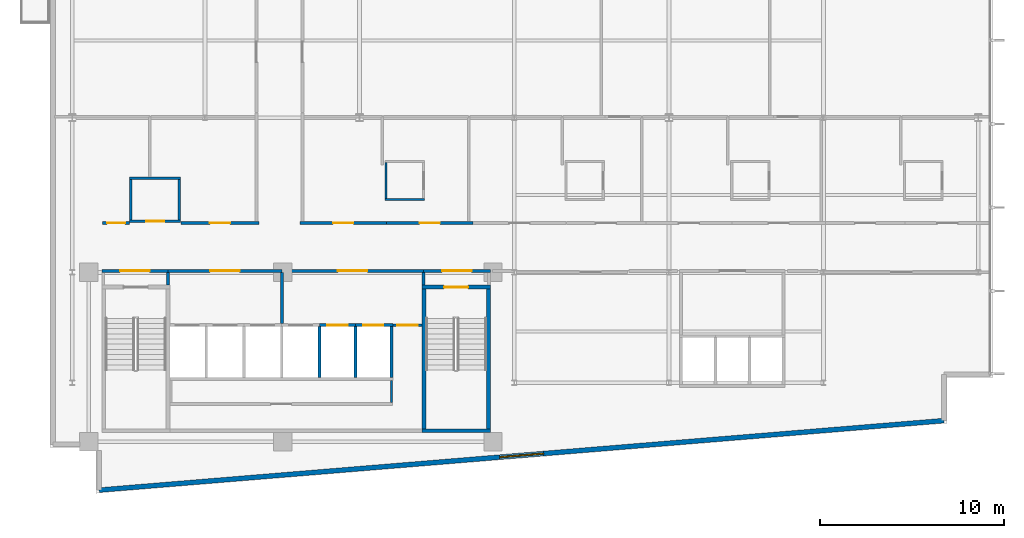
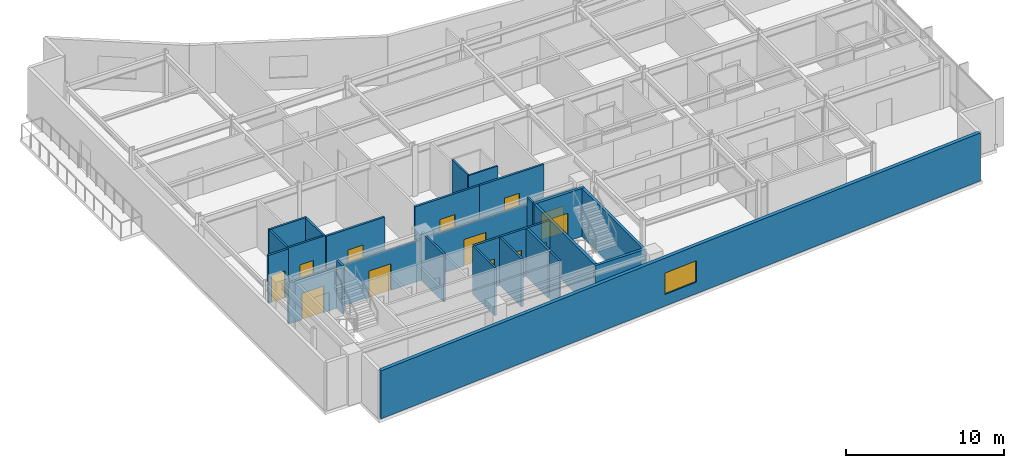
# One storey, part 11 of 17: 29 walls, 13 doors, 1 window, 14 openings.
"""IFC4 building model written with IfcOpenShell, lengths in metres."""

from ifc_helpers import new_model, si_unit, direction, frame, frame_2d, origin, place, context, subcontext, project, spatial, rectangle, extrude, material, layer, layer_set, type_object, element, fill, save


model = new_model("IFC4")

# Units and contexts
model_context = context("Model", 3, precision=1e-05, world=origin(), true_north=direction((0.0, 1.0)))
body_context = subcontext(model_context, "Body", "Model", "MODEL_VIEW")
ifc_project = project(units=[si_unit("LENGTHUNIT", "METRE"), si_unit("AREAUNIT", "SQUARE_METRE"), si_unit("VOLUMEUNIT", "CUBIC_METRE"), si_unit("PLANEANGLEUNIT", "RADIAN"), si_unit("MASSUNIT", "GRAM", prefix="KILO")], contexts=[model_context])

# Site, building, storey
site_placement = place(None, origin())
site = spatial("IfcSite", under=ifc_project, at=site_placement, CompositionType="ELEMENT")
building_placement = place(site_placement, origin())
building = spatial("IfcBuilding", under=site, at=building_placement, Name="Varnakote Quay Hospital", CompositionType="ELEMENT")
storey_placement = place(building_placement, frame((0.0, 0.0, 184.199951171875)))
storey = spatial("IfcBuildingStorey", under=building, at=storey_placement, Name="L45", CompositionType="ELEMENT", Elevation=184.199951171875)

# Wall, opening, door
ifc_material_1 = material(Name="Fire-rated acoustic gypsum stud wall", Category="gypsum")
ifc_layer_1 = layer(ifc_material_1, 0.159912109375)
ifc_layer_set_1 = layer_set([ifc_layer_1], Name="Fire-rated acoustic gypsum stud wall")
wall_type_1 = type_object("IfcWallType", Name="WL-COMP-160", PredefinedType="PARTITIONING", material=ifc_layer_set_1)
wall_1_placement = place(storey_placement, frame((2.800048828125, 12.080078125, 0.0), z_axis=(0.0, 0.0, 1.0), x_axis=(1.0, 0.0, 0.0)))
wall_1 = element("IfcWall", 1, at=wall_1_placement, inside=storey, type_object=wall_type_1, Name="L45 West Stair Vestibule Smoke Wall", PredefinedType="PARTITIONING", context=body_context, shape_type="SweptSolid", body=[
    extrude(rectangle(XDim=3.599853515625, YDim=0.159912109375, at=frame_2d((1.7998046875, 0.0))), origin(), (0.0, 0.0, 1.0), 3.152099609375),
])
opening_1_placement = place(wall_1_placement, frame((1.0, 0.0, 0.0)))
opening_1 = element("IfcOpeningElement", 2, at=opening_1_placement, cuts=wall_1, Name="Opening D-ST1L-L45", PredefinedType="OPENING", context=body_context, shape_type="SweptSolid", body=[
    extrude(rectangle(XDim=1.60009765625, YDim=2.050048828125, at=frame_2d((0.800048828125, 1.02490234375))), frame((0.0, 0.08984375, 0.0), z_axis=(0.0, -1.0, 0.0), x_axis=(1.0, 0.0, 0.0)), (0.0, 0.0, 1.0), 0.179931640625),
])
ifc_material_2 = material(Name="Fire-rated double smoke lobby door")
door_type_1 = type_object("IfcDoorType", Name="DR-LOBBY-FD60S-1600x2150", OperationType="NOTDEFINED", PredefinedType="DOOR", material=ifc_material_2)
door_1_placement = place(opening_1_placement, origin())
door_1 = element("IfcDoor", 3, at=door_1_placement, inside=storey, type_object=door_type_1, Name="L45 West Stair Vestibule Smoke Door", OperationType="DOUBLE_DOOR_SINGLE_SWING", OverallHeight=2.050048828125, OverallWidth=1.60009765625, PredefinedType="DOOR", context=body_context, shape_type="SweptSolid", body=[
    extrude(rectangle(XDim=1.60009765625, YDim=2.050048828125, at=frame_2d((0.800048828125, 1.02490234375))), frame((0.0, 0.02490234375, 0.0), z_axis=(0.0, -1.0, 0.0), x_axis=(1.0, 0.0, 0.0)), (0.0, 0.0, 1.0), 0.050048828125),
])
fill(opening_1, door_1)

# Wall
wall_2_placement = place(storey_placement, frame((6.39990234375, 11.300048828125, 0.0), z_axis=(0.0, 0.0, 1.0), x_axis=(0.0, 1.0, 0.0)))
element("IfcWall", 4, at=wall_2_placement, inside=storey, type_object=wall_type_1, Name="L45 Firefighting Lobby West Wall", PredefinedType="PARTITIONING", context=body_context, shape_type="SweptSolid", body=[
    extrude(rectangle(XDim=0.699951171875, YDim=0.159912109375, at=frame_2d((0.35009765625, 0.0))), origin(), (0.0, 0.0, 1.0), 3.7099609375),
])

# Wall, opening, door
wall_3_placement = place(storey_placement, frame((6.39990234375, 12.080078125, 0.0), z_axis=(0.0, 0.0, 1.0), x_axis=(1.0, 0.0, 0.0)))
wall_3 = element("IfcWall", 5, at=wall_3_placement, inside=storey, type_object=wall_type_1, Name="L45 Firefighting Lift Lobby Compartment Wall", PredefinedType="PARTITIONING", context=body_context, shape_type="SweptSolid", body=[
    extrude(rectangle(XDim=6.18017578125, YDim=0.159912109375, at=frame_2d((3.090087890625, 0.0))), origin(), (0.0, 0.0, 1.0), 3.152099609375),
])
opening_2_placement = place(wall_3_placement, frame((2.2900390625, 0.0, 0.0)))
opening_2 = element("IfcOpeningElement", 6, at=opening_2_placement, cuts=wall_3, Name="Opening D-FFL-L45", PredefinedType="OPENING", context=body_context, shape_type="SweptSolid", body=[
    extrude(rectangle(XDim=1.60009765625, YDim=2.050048828125, at=frame_2d((0.800048828125, 1.02490234375))), frame((0.0, 0.08984375, 0.0), z_axis=(0.0, -1.0, 0.0), x_axis=(1.0, 0.0, 0.0)), (0.0, 0.0, 1.0), 0.179931640625),
])
door_2_placement = place(opening_2_placement, origin())
door_2 = element("IfcDoor", 7, at=door_2_placement, inside=storey, type_object=door_type_1, Name="L45 Firefighting Smoke Vestibule Door", OperationType="DOUBLE_DOOR_SINGLE_SWING", OverallHeight=2.050048828125, OverallWidth=1.60009765625, PredefinedType="DOOR", context=body_context, shape_type="SweptSolid", body=[
    extrude(rectangle(XDim=1.60009765625, YDim=2.050048828125, at=frame_2d((0.800048828125, 1.02490234375))), frame((0.0, 0.02490234375, 0.0), z_axis=(0.0, -1.0, 0.0), x_axis=(1.0, 0.0, 0.0)), (0.0, 0.0, 1.0), 0.050048828125),
])
fill(opening_2, door_2)

# Wall
wall_4_placement = place(storey_placement, frame((12.580078125, 9.2099609375, 0.0), z_axis=(0.0, 0.0, 1.0), x_axis=(0.0, 1.0, 0.0)))
element("IfcWall", 8, at=wall_4_placement, inside=storey, type_object=wall_type_1, Name="L45 Firefighting to Service Lobby Wall", PredefinedType="PARTITIONING", context=body_context, shape_type="SweptSolid", body=[
    extrude(rectangle(XDim=2.7900390625, YDim=0.159912109375, at=frame_2d((1.39501953125, 0.0))), origin(), (0.0, 0.0, 1.0), 3.7099609375),
])

# Wall, opening, door
wall_5_placement = place(storey_placement, frame((12.580078125, 12.080078125, 0.0), z_axis=(0.0, 0.0, 1.0), x_axis=(1.0, 0.0, 0.0)))
wall_5 = element("IfcWall", 9, at=wall_5_placement, inside=storey, type_object=wall_type_1, Name="L45 Clinical Bed Lift Lobby Wall", PredefinedType="PARTITIONING", context=body_context, shape_type="SweptSolid", body=[
    extrude(rectangle(XDim=7.699951171875, YDim=0.159912109375, at=frame_2d((3.85009765625, 0.0))), origin(), (0.0, 0.0, 1.0), 3.152099609375),
])
opening_3_placement = place(wall_5_placement, frame((3.050048828125, 0.0, 0.0)))
opening_3 = element("IfcOpeningElement", 10, at=opening_3_placement, cuts=wall_5, Name="Opening D-SVL-L45", PredefinedType="OPENING", context=body_context, shape_type="SweptSolid", body=[
    extrude(rectangle(XDim=1.60009765625, YDim=2.050048828125, at=frame_2d((0.800048828125, 1.02490234375))), frame((0.0, 0.08984375, 0.0), z_axis=(0.0, -1.0, 0.0), x_axis=(1.0, 0.0, 0.0)), (0.0, 0.0, 1.0), 0.179931640625),
])
door_3_placement = place(opening_3_placement, origin())
door_3 = element("IfcDoor", 11, at=door_3_placement, inside=storey, type_object=door_type_1, Name="L45 Clinical Core Smoke Vestibule Door", OperationType="DOUBLE_DOOR_SINGLE_SWING", OverallHeight=2.050048828125, OverallWidth=1.60009765625, PredefinedType="DOOR", context=body_context, shape_type="SweptSolid", body=[
    extrude(rectangle(XDim=1.60009765625, YDim=2.050048828125, at=frame_2d((0.800048828125, 1.02490234375))), frame((0.0, 0.02490234375, 0.0), z_axis=(0.0, -1.0, 0.0), x_axis=(1.0, 0.0, 0.0)), (0.0, 0.0, 1.0), 0.050048828125),
])
fill(opening_3, door_3)

# Wall
wall_6_placement = place(storey_placement, frame((20.280029296875, 11.300048828125, 0.0), z_axis=(0.0, 0.0, 1.0), x_axis=(0.0, 1.0, 0.0)))
element("IfcWall", 12, at=wall_6_placement, inside=storey, type_object=wall_type_1, Name="L45 East Stair Vestibule Divider Wall", PredefinedType="PARTITIONING", context=body_context, shape_type="SweptSolid", body=[
    extrude(rectangle(XDim=0.699951171875, YDim=0.159912109375, at=frame_2d((0.35009765625, 0.0))), origin(), (0.0, 0.0, 1.0), 3.7099609375),
])

# Wall, opening, door
wall_7_placement = place(storey_placement, frame((20.280029296875, 12.080078125, 0.0), z_axis=(0.0, 0.0, 1.0), x_axis=(1.0, 0.0, 0.0)))
wall_7 = element("IfcWall", 13, at=wall_7_placement, inside=storey, type_object=wall_type_1, Name="L45 East Stair Vestibule Smoke Wall", PredefinedType="PARTITIONING", context=body_context, shape_type="SweptSolid", body=[
    extrude(rectangle(XDim=3.619873046875, YDim=0.159912109375, at=frame_2d((1.81005859375, 0.0))), origin(), (0.0, 0.0, 1.0), 3.152099609375),
])
opening_4_placement = place(wall_7_placement, frame((1.010009765625, 0.0, 0.0)))
opening_4 = element("IfcOpeningElement", 14, at=opening_4_placement, cuts=wall_7, Name="Opening D-ST2L-L45", PredefinedType="OPENING", context=body_context, shape_type="SweptSolid", body=[
    extrude(rectangle(XDim=1.60009765625, YDim=2.050048828125, at=frame_2d((0.800048828125, 1.02490234375))), frame((0.0, 0.08984375, 0.0), z_axis=(0.0, -1.0, 0.0), x_axis=(1.0, 0.0, 0.0)), (0.0, 0.0, 1.0), 0.179931640625),
])
door_4_placement = place(opening_4_placement, origin())
door_4 = element("IfcDoor", 15, at=door_4_placement, inside=storey, type_object=door_type_1, Name="L45 East Stair Vestibule Smoke Door", OperationType="DOUBLE_DOOR_SINGLE_SWING", OverallHeight=2.050048828125, OverallWidth=1.60009765625, PredefinedType="DOOR", context=body_context, shape_type="SweptSolid", body=[
    extrude(rectangle(XDim=1.60009765625, YDim=2.050048828125, at=frame_2d((0.800048828125, 1.02490234375))), frame((0.0, 0.02490234375, 0.0), z_axis=(0.0, -1.0, 0.0), x_axis=(1.0, 0.0, 0.0)), (0.0, 0.0, 1.0), 0.050048828125),
])
fill(opening_4, door_4)

# Walls
ifc_material_3 = material(Name="Moisture-resistant bathroom partition", Category="gypsum")
ifc_layer_2 = layer(ifc_material_3, 0.114990234375)
ifc_layer_set_2 = layer_set([ifc_layer_2], Name="Moisture-resistant bathroom partition")
wall_type_2 = type_object("IfcWallType", Name="WL-ENS-115", PredefinedType="PARTITIONING", material=ifc_layer_set_2)
wall_8_placement = place(storey_placement, frame((18.18505859375, 15.952392578125, 0.0), z_axis=(0.0, 0.0, 1.0), x_axis=(1.0, 0.0, 0.0)))
element("IfcWall", 16, at=wall_8_placement, inside=storey, type_object=wall_type_2, Name="L45 Inpatient En-Suite Bathroom 01 S Wall", PredefinedType="PARTITIONING", context=body_context, shape_type="SweptSolid", body=[
    extrude(rectangle(XDim=2.14990234375, YDim=0.114990234375, at=frame_2d((1.074951171875, 0.0))), origin(), (0.0, 0.0, 1.0), 3.7099609375),
])
wall_9_placement = place(storey_placement, frame((18.242431640625, 16.010009765625, 0.0), z_axis=(0.0, 0.0, 1.0), x_axis=(0.0, 1.0, 0.0)))
element("IfcWall", 17, at=wall_9_placement, inside=storey, type_object=wall_type_2, Name="L45 Inpatient En-Suite Bathroom 01 W Wall", PredefinedType="PARTITIONING", context=body_context, shape_type="SweptSolid", body=[
    extrude(rectangle(XDim=1.949951171875, YDim=0.114990234375, at=frame_2d((0.97509765625, 0.0))), origin(), (0.0, 0.0, 1.0), 3.7099609375),
])

# Wall, opening, window
ifc_material_4 = material(Name="Precast concrete N50 (f'c 50 MPa)", Category="concrete")
ifc_layer_3 = layer(ifc_material_4, 0.260009765625)
ifc_layer_set_3 = layer_set([ifc_layer_3], Name="Precast concrete N50 (f'c 50 MPa)")
wall_type_3 = type_object("IfcWallType", Name="WL-EXT-BRICK-260", PredefinedType="STANDARD", material=ifc_layer_set_3)
wall_10_placement = place(storey_placement, frame((2.659912109375, 0.173583984375, 0.0), z_axis=(0.0, 0.0, 1.0), x_axis=(0.996634028439, 0.081979347142, 0.0)))
wall_10 = element("IfcWall", 18, at=wall_10_placement, inside=storey, type_object=wall_type_3, Name="L45 Brick-Faced Precast Exterior Wall", PredefinedType="STANDARD", context=body_context, shape_type="SweptSolid", body=[
    extrude(rectangle(XDim=46.03515625, YDim=0.260009765625, at=frame_2d((23.017578125, 0.0))), origin(), (0.0, 0.0, 1.0), 3.7099609375),
])
opening_5_placement = place(wall_10_placement, frame((21.8173828125, 0.0, 0.89990234375)))
opening_5 = element("IfcOpeningElement", 19, at=opening_5_placement, cuts=wall_10, Name="Opening WN-0186", PredefinedType="OPENING", context=body_context, shape_type="SweptSolid", body=[
    extrude(rectangle(XDim=2.39990234375, YDim=1.64990234375, at=frame_2d((1.199951171875, 0.824951171875))), frame((0.0, 0.139892578125, 0.0), z_axis=(0.0, -1.0, 0.0), x_axis=(1.0, 0.0, 0.0)), (0.0, 0.0, 1.0), 0.280029296875),
])
ifc_material_5 = material(Name="Double-glazed low-E solar glass", Category="glass")
window_type = type_object("IfcWindowType", Name="WIN-CLIN-2400x1650", PartitioningType="SINGLE_PANEL", PredefinedType="WINDOW", material=ifc_material_5)
window_placement = place(opening_5_placement, origin())
window = element("IfcWindow", 20, at=window_placement, inside=storey, type_object=window_type, Name="L45 Solar-Control Clinical Window", OverallHeight=1.64990234375, OverallWidth=2.39990234375, PartitioningType="SINGLE_PANEL", PredefinedType="WINDOW", context=body_context, shape_type="SweptSolid", body=[
    extrude(rectangle(XDim=2.39990234375, YDim=1.64990234375, at=frame_2d((1.199951171875, 0.824951171875))), frame((0.0, 0.030029296875, 0.0), z_axis=(0.0, -1.0, 0.0), x_axis=(1.0, 0.0, 0.0)), (0.0, 0.0, 1.0), 0.06005859375),
])
fill(opening_5, window)

# Walls
ifc_material_6 = material(Name="Concrete N50 (f'c 50 MPa)", Category="concrete")
ifc_layer_4 = layer(ifc_material_6, 0.14990234375)
ifc_layer_set_4 = layer_set([ifc_layer_4], Name="Concrete N50 (f'c 50 MPa)")
wall_type_4 = type_object("IfcWallType", Name="WL-SHAFT-N50-150", PredefinedType="SHEAR", material=ifc_layer_set_4)
for number, where, z_axis, x_axis, name in (
    (21, (14.625, 6.300048828125, 0.0), (0.0, 0.0, 1.0), (0.0, 1.0, 0.0), "L45 LF-SV2 Hoistway Divider Wall"),
    (22, (16.574951171875, 6.300048828125, 0.0), (0.0, 0.0, 1.0), (0.0, 1.0, 0.0), "L45 LF-PH1 Hoistway Divider Wall"),
):
    element("IfcWall", number, at=place(storey_placement, frame(where, z_axis=z_axis, x_axis=x_axis)), inside=storey, type_object=wall_type_4, Name=name, PredefinedType="SHEAR", context=body_context, shape_type="SweptSolid", body=[
        extrude(rectangle(XDim=2.75, YDim=0.14990234375, at=frame_2d((1.375, 0.0))), origin(), (0.0, 0.0, 1.0), 3.7099609375),
    ])
ifc_material_7 = material(Name="Concrete N50 (f'c 50 MPa)", Category="concrete")
ifc_layer_5 = layer(ifc_material_7, 0.159912109375)
ifc_layer_set_5 = layer_set([ifc_layer_5], Name="Concrete N50 (f'c 50 MPa)")
wall_type_5 = type_object("IfcWallType", Name="WL-SHAFT-N50-160", PredefinedType="SHEAR", material=ifc_layer_set_5)
wall_11_placement = place(storey_placement, frame((18.530029296875, 6.300048828125, 0.0), z_axis=(0.0, 0.0, 1.0), x_axis=(0.0, 1.0, 0.0)))
element("IfcWall", 23, at=wall_11_placement, inside=storey, type_object=wall_type_5, Name="L45 REAR Lift Bank East Shear Wall", PredefinedType="SHEAR", context=body_context, shape_type="SweptSolid", body=[
    extrude(rectangle(XDim=2.75, YDim=0.159912109375, at=frame_2d((1.375, 0.0))), origin(), (0.0, 0.0, 1.0), 3.7099609375),
])

# Wall, opening, door
wall_12_placement = place(storey_placement, frame((14.625, 9.1298828125, 0.0), z_axis=(0.0, 0.0, 1.0), x_axis=(1.0, 0.0, 0.0)))
wall_12 = element("IfcWall", 24, at=wall_12_placement, inside=storey, type_object=wall_type_5, Name="L45 LF-PH1 Hoistway Front Wall", PredefinedType="SHEAR", context=body_context, shape_type="SweptSolid", body=[
    extrude(rectangle(XDim=1.949951171875, YDim=0.159912109375, at=frame_2d((0.97509765625, 0.0))), origin(), (0.0, 0.0, 1.0), 3.7099609375),
])
opening_6_placement = place(wall_12_placement, frame((0.425048828125, 0.0, 0.0)))
opening_6 = element("IfcOpeningElement", 25, at=opening_6_placement, cuts=wall_12, Name="Opening LD-PH1-L45", PredefinedType="OPENING", context=body_context, shape_type="SweptSolid", body=[
    extrude(rectangle(XDim=1.10009765625, YDim=2.14990234375, at=frame_2d((0.550048828125, 1.074951171875))), frame((0.0, 0.08984375, 0.0), z_axis=(0.0, -1.0, 0.0), x_axis=(1.0, 0.0, 0.0)), (0.0, 0.0, 1.0), 0.179931640625),
])
ifc_material_8 = material(Name="Brushed bronze lift landing sliding door")
door_type_2 = type_object("IfcDoorType", Name="DR-LIFT-LD-1100x2150", OperationType="NOTDEFINED", PredefinedType="DOOR", material=ifc_material_8)
door_5_placement = place(opening_6_placement, origin())
door_5 = element("IfcDoor", 26, at=door_5_placement, inside=storey, type_object=door_type_2, Name="L45 LF-PH1 Lift Landing Sliding Door", OperationType="SLIDING_TO_LEFT", OverallHeight=2.14990234375, OverallWidth=1.10009765625, PredefinedType="DOOR", context=body_context, shape_type="SweptSolid", body=[
    extrude(rectangle(XDim=1.10009765625, YDim=2.14990234375, at=frame_2d((0.550048828125, 1.074951171875))), frame((0.0, 0.02490234375, 0.0), z_axis=(0.0, -1.0, 0.0), x_axis=(1.0, 0.0, 0.0)), (0.0, 0.0, 1.0), 0.050048828125),
])
fill(opening_6, door_5)

wall_13_placement = place(storey_placement, frame((16.574951171875, 9.1298828125, 0.0), z_axis=(0.0, 0.0, 1.0), x_axis=(1.0, 0.0, 0.0)))
wall_13 = element("IfcWall", 27, at=wall_13_placement, inside=storey, type_object=wall_type_5, Name="L45 LF-PH2 Hoistway Front Wall", PredefinedType="SHEAR", context=body_context, shape_type="SweptSolid", body=[
    extrude(rectangle(XDim=2.03515625, YDim=0.159912109375, at=frame_2d((1.017578125, 0.0))), origin(), (0.0, 0.0, 1.0), 3.7099609375),
])
opening_7_placement = place(wall_13_placement, frame((0.425048828125, 0.0, 0.0)))
opening_7 = element("IfcOpeningElement", 28, at=opening_7_placement, cuts=wall_13, Name="Opening LD-PH2-L45", PredefinedType="OPENING", context=body_context, shape_type="SweptSolid", body=[
    extrude(rectangle(XDim=1.10009765625, YDim=2.14990234375, at=frame_2d((0.550048828125, 1.074951171875))), frame((0.0, 0.08984375, 0.0), z_axis=(0.0, -1.0, 0.0), x_axis=(1.0, 0.0, 0.0)), (0.0, 0.0, 1.0), 0.179931640625),
])
door_6_placement = place(opening_7_placement, origin())
door_6 = element("IfcDoor", 29, at=door_6_placement, inside=storey, type_object=door_type_2, Name="L45 LF-PH2 Lift Landing Sliding Door", OperationType="SLIDING_TO_LEFT", OverallHeight=2.14990234375, OverallWidth=1.10009765625, PredefinedType="DOOR", context=body_context, shape_type="SweptSolid", body=[
    extrude(rectangle(XDim=1.10009765625, YDim=2.14990234375, at=frame_2d((0.550048828125, 1.074951171875))), frame((0.0, 0.02490234375, 0.0), z_axis=(0.0, -1.0, 0.0), x_axis=(1.0, 0.0, 0.0)), (0.0, 0.0, 1.0), 0.050048828125),
])
fill(opening_7, door_6)

# Walls
ifc_material_9 = material(Name="Concrete N50 (f'c 50 MPa)", Category="concrete")
ifc_layer_6 = layer(ifc_material_9, 0.199951171875)
ifc_layer_set_6 = layer_set([ifc_layer_6], Name="Concrete N50 (f'c 50 MPa)")
wall_type_6 = type_object("IfcWallType", Name="WL-SHAFT-N50-200", PredefinedType="SHEAR", material=ifc_layer_set_6)
wall_14_placement = place(storey_placement, frame((20.199951171875, 3.39990234375, 0.0), z_axis=(0.0, 0.0, 1.0), x_axis=(1.0, 0.0, 0.0)))
element("IfcWall", 30, at=wall_14_placement, inside=storey, type_object=wall_type_6, Name="L45 Stair ST2 South Shaft Wall", PredefinedType="SHEAR", context=body_context, shape_type="SweptSolid", body=[
    extrude(rectangle(XDim=3.699951171875, YDim=0.199951171875, at=frame_2d((1.85009765625, 0.0))), origin(), (0.0, 0.0, 1.0), 3.7099609375),
])
for number, where, z_axis, x_axis, name in (
    (31, (20.300048828125, 3.5, 0.0), (0.0, 0.0, 1.0), (0.0, 1.0, 0.0), "L45 Stair ST2 West Shaft Wall"),
    (32, (23.800048828125, 3.5, 0.0), (0.0, 0.0, 1.0), (0.0, 1.0, 0.0), "L45 Stair ST2 East Shaft Wall"),
):
    element("IfcWall", number, at=place(storey_placement, frame(where, z_axis=z_axis, x_axis=x_axis)), inside=storey, type_object=wall_type_6, Name=name, PredefinedType="SHEAR", context=body_context, shape_type="SweptSolid", body=[
        extrude(rectangle(XDim=7.60009765625, YDim=0.199951171875, at=frame_2d((3.800048828125, 0.0))), origin(), (0.0, 0.0, 1.0), 3.7099609375),
    ])

# Wall, opening, door
wall_15_placement = place(storey_placement, frame((20.199951171875, 11.199951171875, 0.0), z_axis=(0.0, 0.0, 1.0), x_axis=(1.0, 0.0, 0.0)))
wall_15 = element("IfcWall", 33, at=wall_15_placement, inside=storey, type_object=wall_type_6, Name="L45 Stair ST2 Exit Wall", PredefinedType="SHEAR", context=body_context, shape_type="SweptSolid", body=[
    extrude(rectangle(XDim=3.699951171875, YDim=0.199951171875, at=frame_2d((1.85009765625, 0.0))), origin(), (0.0, 0.0, 1.0), 3.7099609375),
])
opening_8_placement = place(wall_15_placement, frame((1.199951171875, 0.0, 0.0)))
opening_8 = element("IfcOpeningElement", 34, at=opening_8_placement, cuts=wall_15, Name="Opening D-ST2-L45", PredefinedType="OPENING", context=body_context, shape_type="SweptSolid", body=[
    extrude(rectangle(XDim=1.300048828125, YDim=2.14990234375, at=frame_2d((0.64990234375, 1.074951171875))), frame((0.0, 0.10986328125, 0.0), z_axis=(0.0, -1.0, 0.0), x_axis=(1.0, 0.0, 0.0)), (0.0, 0.0, 1.0), 0.219970703125),
])
ifc_material_10 = material(Name="Fire-rated ceramic-glazed timber exit door", Category="wood")
door_type_3 = type_object("IfcDoorType", Name="DR-STAIR-FD60S-1300x2150", OperationType="NOTDEFINED", PredefinedType="DOOR", material=ifc_material_10)
door_7_placement = place(opening_8_placement, origin())
door_7 = element("IfcDoor", 35, at=door_7_placement, inside=storey, type_object=door_type_3, Name="L45 Stair ST2 Fire Exit Door", OperationType="SINGLE_SWING_RIGHT", OverallHeight=2.14990234375, OverallWidth=1.300048828125, PredefinedType="DOOR", context=body_context, shape_type="SweptSolid", body=[
    extrude(rectangle(XDim=1.300048828125, YDim=2.14990234375, at=frame_2d((0.64990234375, 1.074951171875))), frame((0.0, 0.02490234375, 0.0), z_axis=(0.0, -1.0, 0.0), x_axis=(1.0, 0.0, 0.0)), (0.0, 0.0, 1.0), 0.050048828125),
])
fill(opening_8, door_7)

# Wall
ifc_material_11 = material(Name="Smoke-proof clinical partition", Category="gypsum")
ifc_layer_7 = layer(ifc_material_11, 0.1201171875)
ifc_layer_set_7 = layer_set([ifc_layer_7], Name="Smoke-proof clinical partition")
wall_type_7 = type_object("IfcWallType", Name="WL-SMOKE-120", PredefinedType="PARTITIONING", material=ifc_layer_set_7)
wall_16_placement = place(storey_placement, frame((18.5400390625, 4.919921875, 0.0), z_axis=(0.0, 0.0, 1.0), x_axis=(0.0, 1.0, 0.0)))
element("IfcWall", 36, at=wall_16_placement, inside=storey, type_object=wall_type_7, Name="L45 Core Service Strip East Wall", PredefinedType="PARTITIONING", context=body_context, shape_type="SweptSolid", body=[
    extrude(rectangle(XDim=1.219970703125, YDim=0.1201171875, at=frame_2d((0.60986328125, 0.0))), origin(), (0.0, 0.0, 1.0), 3.7099609375),
])

# Wall, opening, door
ifc_material_12 = material(Name="Fire-rated clinical gypsum partition", Category="gypsum")
ifc_layer_8 = layer(ifc_material_12, 0.139892578125)
ifc_layer_set_8 = layer_set([ifc_layer_8], Name="Fire-rated clinical gypsum partition")
wall_type_8 = type_object("IfcWallType", Name="WL-WARD-140", PredefinedType="PARTITIONING", material=ifc_layer_set_8)
wall_17_placement = place(storey_placement, frame((18.610107421875, 9.1298828125, 0.0), z_axis=(0.0, 0.0, 1.0), x_axis=(1.0, 0.0, 0.0)))
wall_17 = element("IfcWall", 37, at=wall_17_placement, inside=storey, type_object=wall_type_8, Name="L45 Core Service Corridor North Door Wall", PredefinedType="PARTITIONING", context=body_context, shape_type="SweptSolid", body=[
    extrude(rectangle(XDim=1.58984375, YDim=0.139892578125, at=frame_2d((0.794921875, 0.0))), origin(), (0.0, 0.0, 1.0), 3.7099609375),
])
opening_9_placement = place(wall_17_placement, frame((0.239990234375, 0.0, 0.0)))
opening_9 = element("IfcOpeningElement", 38, at=opening_9_placement, cuts=wall_17, Name="Opening D-CSRV-L45", PredefinedType="OPENING", context=body_context, shape_type="SweptSolid", body=[
    extrude(rectangle(XDim=1.10009765625, YDim=2.10009765625, at=frame_2d((0.550048828125, 1.050048828125))), frame((0.0, 0.079833984375, 0.0), z_axis=(0.0, -1.0, 0.0), x_axis=(1.0, 0.0, 0.0)), (0.0, 0.0, 1.0), 0.159912109375),
])
ifc_material_13 = material(Name="Acoustic timber clinical consult door", Category="wood")
door_type_4 = type_object("IfcDoorType", Name="DR-CLIN-FD30S-1100x2100", OperationType="NOTDEFINED", PredefinedType="DOOR", material=ifc_material_13)
door_8_placement = place(opening_9_placement, origin())
door_8 = element("IfcDoor", 39, at=door_8_placement, inside=storey, type_object=door_type_4, Name="L45 Core Service Corridor Door", OperationType="SINGLE_SWING_RIGHT", OverallHeight=2.10009765625, OverallWidth=1.10009765625, PredefinedType="DOOR", context=body_context, shape_type="SweptSolid", body=[
    extrude(rectangle(XDim=1.10009765625, YDim=2.10009765625, at=frame_2d((0.550048828125, 1.050048828125))), frame((0.0, 0.02490234375, 0.0), z_axis=(0.0, -1.0, 0.0), x_axis=(1.0, 0.0, 0.0)), (0.0, 0.0, 1.0), 0.050048828125),
])
fill(opening_9, door_8)

wall_18_placement = place(storey_placement, frame((4.31005859375, 14.77001953125, 0.0), z_axis=(0.0, 0.0, 1.0), x_axis=(1.0, 0.0, 0.0)))
wall_18 = element("IfcWall", 40, at=wall_18_placement, inside=storey, type_object=wall_type_8, Name="L45 Floor Unisex Accessible WC S Wall", PredefinedType="PARTITIONING", context=body_context, shape_type="SweptSolid", body=[
    extrude(rectangle(XDim=2.780029296875, YDim=0.139892578125, at=frame_2d((1.39013671875, 0.0))), origin(), (0.0, 0.0, 1.0), 3.7099609375),
])
opening_10_placement = place(wall_18_placement, frame((0.89990234375, 0.0, 0.0)))
opening_10 = element("IfcOpeningElement", 41, at=opening_10_placement, cuts=wall_18, Name="Opening D-L45-EW01", PredefinedType="OPENING", context=body_context, shape_type="SweptSolid", body=[
    extrude(rectangle(XDim=0.97998046875, YDim=2.10009765625, at=frame_2d((0.489990234375, 1.050048828125))), frame((0.0, 0.079833984375, 0.0), z_axis=(0.0, -1.0, 0.0), x_axis=(1.0, 0.0, 0.0)), (0.0, 0.0, 1.0), 0.159912109375),
])
ifc_material_14 = material(Name="Accessible sanitary compartment door")
door_type_5 = type_object("IfcDoorType", Name="DR-WC-980x2100", OperationType="NOTDEFINED", PredefinedType="DOOR", material=ifc_material_14)
door_9_placement = place(opening_10_placement, origin())
door_9 = element("IfcDoor", 42, at=door_9_placement, inside=storey, type_object=door_type_5, Name="L45 Floor Unisex Accessible WC Door", OperationType="SINGLE_SWING_RIGHT", OverallHeight=2.10009765625, OverallWidth=0.97998046875, PredefinedType="DOOR", context=body_context, shape_type="SweptSolid", body=[
    extrude(rectangle(XDim=0.97998046875, YDim=2.10009765625, at=frame_2d((0.489990234375, 1.050048828125))), frame((0.0, 0.02490234375, 0.0), z_axis=(0.0, -1.0, 0.0), x_axis=(1.0, 0.0, 0.0)), (0.0, 0.0, 1.0), 0.050048828125),
])
fill(opening_10, door_9)

# Walls
wall_19_placement = place(storey_placement, frame((4.31005859375, 17.110107421875, 0.0), z_axis=(0.0, 0.0, 1.0), x_axis=(1.0, 0.0, 0.0)))
element("IfcWall", 43, at=wall_19_placement, inside=storey, type_object=wall_type_8, Name="L45 Floor Unisex Accessible WC N Wall", PredefinedType="PARTITIONING", context=body_context, shape_type="SweptSolid", body=[
    extrude(rectangle(XDim=2.780029296875, YDim=0.139892578125, at=frame_2d((1.39013671875, 0.0))), origin(), (0.0, 0.0, 1.0), 3.7099609375),
])
for number, where, z_axis, x_axis, name in (
    (44, (4.3798828125, 14.840087890625, 0.0), (0.0, 0.0, 1.0), (0.0, 1.0, 0.0), "L45 Floor Unisex Accessible WC W Wall"),
    (45, (7.02001953125, 14.840087890625, 0.0), (0.0, 0.0, 1.0), (0.0, 1.0, 0.0), "L45 Floor Unisex Accessible WC E Wall"),
):
    element("IfcWall", number, at=place(storey_placement, frame(where, z_axis=z_axis, x_axis=x_axis)), inside=storey, type_object=wall_type_8, Name=name, PredefinedType="PARTITIONING", context=body_context, shape_type="SweptSolid", body=[
        extrude(rectangle(XDim=2.199951171875, YDim=0.139892578125, at=frame_2d((1.10009765625, 0.0))), origin(), (0.0, 0.0, 1.0), 3.7099609375),
    ])

# Wall, opening, door
ifc_material_15 = material(Name="Fire-rated clinical gypsum partition", Category="gypsum")
ifc_layer_9 = layer(ifc_material_15, 0.14990234375)
ifc_layer_set_9 = layer_set([ifc_layer_9], Name="Fire-rated clinical gypsum partition")
wall_type_9 = type_object("IfcWallType", Name="WL-WARD-150", PredefinedType="PARTITIONING", material=ifc_layer_set_9)
wall_20_placement = place(storey_placement, frame((4.30810546875, 14.679931640625, 0.0), z_axis=(0.0, 0.0, 1.0), x_axis=(-1.0, 0.0, 0.0)))
wall_20 = element("IfcWall", 46, at=wall_20_placement, inside=storey, type_object=wall_type_9, Name="L45 Clinical Interior Partition", PredefinedType="PARTITIONING", context=body_context, shape_type="SweptSolid", body=[
    extrude(rectangle(XDim=1.4580078125, YDim=0.14990234375, at=frame_2d((0.72900390625, 0.0))), origin(), (0.0, 0.0, 1.0), 3.7099609375),
])
opening_11_placement = place(wall_20_placement, frame((0.239013671875, 0.0, 0.0)))
opening_11 = element("IfcOpeningElement", 47, at=opening_11_placement, cuts=wall_20, Name="Opening D-L45-MD01", PredefinedType="OPENING", context=body_context, shape_type="SweptSolid", body=[
    extrude(rectangle(XDim=0.97998046875, YDim=2.10009765625, at=frame_2d((0.489990234375, 1.050048828125))), frame((0.0, 0.0849609375, 0.0), z_axis=(0.0, -1.0, 0.0), x_axis=(1.0, 0.0, 0.0)), (0.0, 0.0, 1.0), 0.169921875),
])
door_10_placement = place(opening_11_placement, origin())
door_10 = element("IfcDoor", 48, at=door_10_placement, inside=storey, type_object=door_type_5, Name="L45 Neurology Clinical Teaching Room Door", OperationType="SINGLE_SWING_LEFT", OverallHeight=2.10009765625, OverallWidth=0.97998046875, PredefinedType="DOOR", context=body_context, shape_type="SweptSolid", body=[
    extrude(rectangle(XDim=0.97998046875, YDim=2.10009765625, at=frame_2d((0.489990234375, 1.050048828125))), frame((0.0, 0.02490234375, 0.0), z_axis=(0.0, -1.0, 0.0), x_axis=(1.0, 0.0, 0.0)), (0.0, 0.0, 1.0), 0.050048828125),
])
fill(opening_11, door_10)

wall_21_placement = place(storey_placement, frame((11.345947265625, 14.679931640625, 0.0), z_axis=(0.0, 0.0, 1.0), x_axis=(-1.0, 0.0, 0.0)))
wall_21 = element("IfcWall", 49, at=wall_21_placement, inside=storey, type_object=wall_type_9, Name="L45 Clinical Interior Partition", PredefinedType="PARTITIONING", context=body_context, shape_type="SweptSolid", body=[
    extrude(rectangle(XDim=4.25390625, YDim=0.14990234375, at=frame_2d((2.126953125, 0.0))), origin(), (0.0, 0.0, 1.0), 3.7099609375),
])
opening_12_placement = place(wall_21_placement, frame((1.576904296875, 0.0, 0.0)))
opening_12 = element("IfcOpeningElement", 50, at=opening_12_placement, cuts=wall_21, Name="Opening D-L45-MD02", PredefinedType="OPENING", context=body_context, shape_type="SweptSolid", body=[
    extrude(rectangle(XDim=1.10009765625, YDim=2.10009765625, at=frame_2d((0.550048828125, 1.050048828125))), frame((0.0, 0.0849609375, 0.0), z_axis=(0.0, -1.0, 0.0), x_axis=(1.0, 0.0, 0.0)), (0.0, 0.0, 1.0), 0.169921875),
])
door_11_placement = place(opening_12_placement, origin())
door_11 = element("IfcDoor", 51, at=door_11_placement, inside=storey, type_object=door_type_4, Name="L45 Stroke Rehabilitation Treatment Suite Door", OperationType="SINGLE_SWING_RIGHT", OverallHeight=2.10009765625, OverallWidth=1.10009765625, PredefinedType="DOOR", context=body_context, shape_type="SweptSolid", body=[
    extrude(rectangle(XDim=1.10009765625, YDim=2.10009765625, at=frame_2d((0.550048828125, 1.050048828125))), frame((0.0, 0.02490234375, 0.0), z_axis=(0.0, -1.0, 0.0), x_axis=(1.0, 0.0, 0.0)), (0.0, 0.0, 1.0), 0.050048828125),
])
fill(opening_12, door_11)

wall_22_placement = place(storey_placement, frame((18.26611328125, 14.679931640625, 0.0), z_axis=(0.0, 0.0, 1.0), x_axis=(-1.0, 0.0, 0.0)))
wall_22 = element("IfcWall", 52, at=wall_22_placement, inside=storey, type_object=wall_type_9, Name="L45 Clinical Interior Partition", PredefinedType="PARTITIONING", context=body_context, shape_type="SweptSolid", body=[
    extrude(rectangle(XDim=4.712158203125, YDim=0.14990234375, at=frame_2d((2.35595703125, 0.0))), origin(), (0.0, 0.0, 1.0), 3.7099609375),
])
opening_13_placement = place(wall_22_placement, frame((1.805908203125, 0.0, 0.0)))
opening_13 = element("IfcOpeningElement", 53, at=opening_13_placement, cuts=wall_22, Name="Opening D-L45-MD03", PredefinedType="OPENING", context=body_context, shape_type="SweptSolid", body=[
    extrude(rectangle(XDim=1.10009765625, YDim=2.10009765625, at=frame_2d((0.550048828125, 1.050048828125))), frame((0.0, 0.0849609375, 0.0), z_axis=(0.0, -1.0, 0.0), x_axis=(1.0, 0.0, 0.0)), (0.0, 0.0, 1.0), 0.169921875),
])
door_12_placement = place(opening_13_placement, origin())
door_12 = element("IfcDoor", 54, at=door_12_placement, inside=storey, type_object=door_type_4, Name="L45 Neurophysiology Office Door", OperationType="SINGLE_SWING_LEFT", OverallHeight=2.10009765625, OverallWidth=1.10009765625, PredefinedType="DOOR", context=body_context, shape_type="SweptSolid", body=[
    extrude(rectangle(XDim=1.10009765625, YDim=2.10009765625, at=frame_2d((0.550048828125, 1.050048828125))), frame((0.0, 0.02490234375, 0.0), z_axis=(0.0, -1.0, 0.0), x_axis=(1.0, 0.0, 0.0)), (0.0, 0.0, 1.0), 0.050048828125),
])
fill(opening_13, door_12)

wall_23_placement = place(storey_placement, frame((22.9560546875, 14.679931640625, 0.0), z_axis=(0.0, 0.0, 1.0), x_axis=(-1.0, 0.0, 0.0)))
wall_23 = element("IfcWall", 55, at=wall_23_placement, inside=storey, type_object=wall_type_9, Name="L45 Clinical Interior Partition", PredefinedType="PARTITIONING", context=body_context, shape_type="SweptSolid", body=[
    extrude(rectangle(XDim=4.68798828125, YDim=0.14990234375, at=frame_2d((2.343994140625, 0.0))), origin(), (0.0, 0.0, 1.0), 3.7099609375),
])
opening_14_placement = place(wall_23_placement, frame((1.7939453125, 0.0, 0.0)))
opening_14 = element("IfcOpeningElement", 56, at=opening_14_placement, cuts=wall_23, Name="Opening D-L45-BR01", PredefinedType="OPENING", context=body_context, shape_type="SweptSolid", body=[
    extrude(rectangle(XDim=1.10009765625, YDim=2.10009765625, at=frame_2d((0.550048828125, 1.050048828125))), frame((0.0, 0.0849609375, 0.0), z_axis=(0.0, -1.0, 0.0), x_axis=(1.0, 0.0, 0.0)), (0.0, 0.0, 1.0), 0.169921875),
])
door_13_placement = place(opening_14_placement, origin())
door_13 = element("IfcDoor", 57, at=door_13_placement, inside=storey, type_object=door_type_4, Name="L45 Inpatient Clinical Treatment Room 01 Door", OperationType="SINGLE_SWING_RIGHT", OverallHeight=2.10009765625, OverallWidth=1.10009765625, PredefinedType="DOOR", context=body_context, shape_type="SweptSolid", body=[
    extrude(rectangle(XDim=1.10009765625, YDim=2.10009765625, at=frame_2d((0.550048828125, 1.050048828125))), frame((0.0, 0.02490234375, 0.0), z_axis=(0.0, -1.0, 0.0), x_axis=(1.0, 0.0, 0.0)), (0.0, 0.0, 1.0), 0.050048828125),
])
fill(opening_14, door_13)

save(model, "model.ifc")
